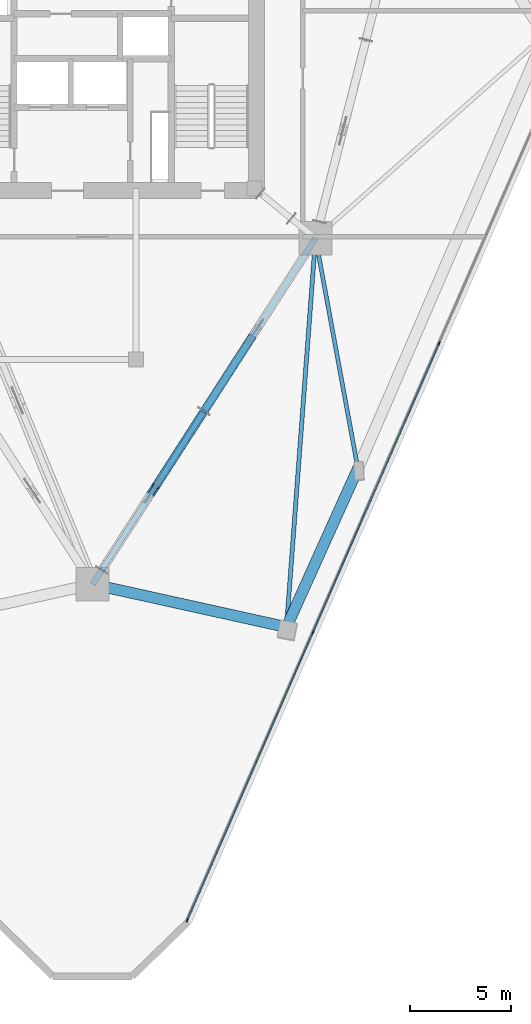
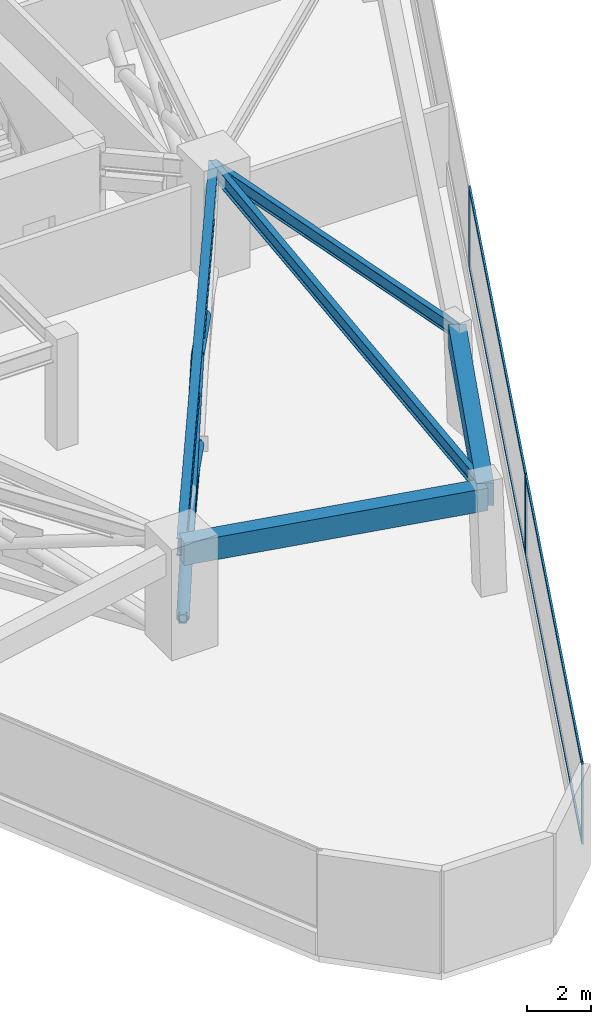
# One storey, part 3 of 15: 12 members, 5 beams, 1 element without a shape of its own.
"""IFC4 building model written with IfcOpenShell, lengths in metres."""

from ifc_helpers import new_model, si_unit, direction, frame, origin, origin_2d, place, context, subcontext, project, spatial, rectangle, hollow_rectangle, hollow_circle, i_section, extrude, material, layer, layer_set, material_profile, profile_set, type_object, element, aggregate, save


model = new_model("IFC4")

# Units and contexts
model_context = context("Model", 3, precision=1e-05, world=origin(), true_north=direction((0.0, 1.0)))
body_context = subcontext(model_context, "Body", "Model", "MODEL_VIEW")
ifc_project = project(units=[si_unit("LENGTHUNIT", "METRE"), si_unit("AREAUNIT", "SQUARE_METRE"), si_unit("VOLUMEUNIT", "CUBIC_METRE"), si_unit("PLANEANGLEUNIT", "RADIAN"), si_unit("MASSUNIT", "GRAM", prefix="KILO")], contexts=[model_context])

# Site, building, storey
site_placement = place(None, origin())
site = spatial("IfcSite", under=ifc_project, at=site_placement, CompositionType="ELEMENT")
building_placement = place(site_placement, origin())
building = spatial("IfcBuilding", under=site, at=building_placement, Name="Talyreon Biosciences Tower", CompositionType="ELEMENT")
storey_placement = place(building_placement, frame((0.0, 0.0, 118.800048828125)))
storey = spatial("IfcBuildingStorey", under=building, at=storey_placement, Name="L31", CompositionType="ELEMENT", Elevation=118.800048828125)

# Members
ifc_material_1 = material(Name="Steel SM355", Category="steel")
ifc_material_profile_1 = material_profile(ifc_material_1, hollow_circle(Radius=0.203125, WallThickness=0.01611328125, at=origin_2d()), Name="CHS 406.4x16")
ifc_profile_set_1 = profile_set([ifc_material_profile_1], Name="Steel SM355")
member_type_1 = type_object("IfcMemberType", Name="BeltBrace_CHS406", PredefinedType="BRACE", material=ifc_profile_set_1)
member_1_placement = place(storey_placement, frame((66.4521484375, 42.368896484375, 0.239990234375), z_axis=(0.509889096277, 0.791693720772, 0.33650284098), x_axis=(-0.84072260257, 0.541466070523, 0.0)))
element("IfcMember", 1, at=member_1_placement, inside=storey, type_object=member_type_1, Name="L31 Continuous Diagonal BELT-L31-B1S1A", PredefinedType="BRACE", context=body_context, shape_type="SweptSolid", body=[
    extrude(hollow_circle(Radius=0.203125, WallThickness=0.01611328125, at=origin_2d()), origin(), (0.0, 0.0, 1.0), 9.984619140625),
])
member_2_placement = place(storey_placement, frame((71.543212890625, 50.273681640625, 0.239990234375), z_axis=(-0.509900995937, -0.791688388429, 0.336497355071), x_axis=(0.840715189857, -0.541477579908, 0.0)))
element("IfcMember", 2, at=member_2_placement, inside=storey, type_object=member_type_1, Name="L31 Split Diagonal BELT-L31-B1S1B-Lower", PredefinedType="BRACE", context=body_context, shape_type="SweptSolid", body=[
    extrude(hollow_circle(Radius=0.203125, WallThickness=0.01611328125, at=origin_2d()), origin(), (0.0, 0.0, 1.0), 4.71240234375),
])
member_3_placement = place(storey_placement, frame((73.94580078125, 54.00439453125, 2.01416015625), z_axis=(-0.509862655947, -0.791709302461, 0.336506244322), x_axis=(0.840740235019, -0.541438692024, 0.0)))
element("IfcMember", 3, at=member_3_placement, inside=storey, type_object=member_type_1, Name="L31 Split Diagonal BELT-L31-B1S2B-Upper", PredefinedType="BRACE", context=body_context, shape_type="SweptSolid", body=[
    extrude(hollow_circle(Radius=0.203125, WallThickness=0.01611328125, at=origin_2d()), origin(), (0.0, 0.0, 1.0), 4.712158203125),
])
ifc_material_profile_2 = material_profile(ifc_material_1, hollow_rectangle(XDim=0.25, YDim=0.39990234375, WallThickness=0.01611328125, at=origin_2d()), Name="RHS 400x250x16")
ifc_profile_set_2 = profile_set([ifc_material_profile_2], Name="Steel SM355")
member_type_2 = type_object("IfcMemberType", Name="BeltChord_RHS400x250", PredefinedType="CHORD", material=ifc_profile_set_2)
for number, where, z_axis, x_axis, name in (
    (4, (66.4521484375, 42.368896484375, 0.239990234375), (0.541466070523, 0.84072260257, 0.0), (-0.84072260257, 0.541466070523, 0.0), "L31 Truss Bottom Chord BELT-L31-B1S1"),
    (5, (66.4521484375, 42.368896484375, 3.599853515625), (0.541466070523, 0.84072260257, 0.0), (-0.84072260257, 0.541466070523, 0.0), "L31 Truss Top Chord BELT-L31-B1S1"),
):
    element("IfcMember", number, at=place(storey_placement, frame(where, z_axis=z_axis, x_axis=x_axis)), inside=storey, type_object=member_type_2, Name=name, PredefinedType="CHORD", context=body_context, shape_type="SweptSolid", body=[
        extrude(hollow_rectangle(XDim=0.25, YDim=0.39990234375, WallThickness=0.01611328125, at=origin_2d()), origin(), (0.0, 0.0, 1.0), 9.40234375),
    ])

# Curtain wall, members
ifc_material_2 = material(Name="Thermally broken aluminium and low-E glazing", Category="aluminium")
ifc_layer = layer(ifc_material_2, 0.18994140625)
ifc_layer_set = layer_set([ifc_layer], Name="Thermally broken aluminium and low-E glazing")
curtain_wall_type = type_object("IfcCurtainWallType", Name="CurtainWall_Zone2Genomics", PredefinedType="NOTDEFINED", material=ifc_layer_set)
curtain_wall_placement = place(storey_placement, origin())
curtain_wall = element("IfcCurtainWall", 6, at=curtain_wall_placement, inside=storey, type_object=curtain_wall_type, Name="L31 Unitised Curtain Wall FCW-L31-08", PredefinedType="NOTDEFINED")
ifc_material_3 = material(Name="Anodised thermally broken aluminium", Category="aluminium")
ifc_material_profile_3 = material_profile(ifc_material_3, rectangle(XDim=0.06494140625, YDim=0.179931640625, at=origin_2d()), Name="ALUM MULLION 65x180")
ifc_profile_set_3 = profile_set([ifc_material_profile_3], Name="Anodised thermally broken aluminium")
member_type_3 = type_object("IfcMemberType", Name="CWMullion_65x180", PredefinedType="MULLION", material=ifc_profile_set_3)
member_4_placement = place(storey_placement, frame((83.236328125, 53.6474609375, 0.81005859375), z_axis=(0.0, 0.0, 1.0), x_axis=(0.916416470178, -0.400226002637, 0.0)))
member_4 = element("IfcMember", 7, at=member_4_placement, type_object=member_type_3, Name="CW3 mullion 3", PredefinedType="MULLION", context=body_context, shape_type="SweptSolid", body=[
    extrude(rectangle(XDim=0.06494140625, YDim=0.179931640625, at=origin_2d()), origin(), (0.0, 0.0, 1.0), 3.039794921875),
])
member_5_placement = place(storey_placement, frame((76.964111328125, 39.2861328125, 0.81005859375), z_axis=(0.0, 0.0, 1.0), x_axis=(0.916416470178, -0.400226002637, 0.0)))
member_5 = element("IfcMember", 8, at=member_5_placement, type_object=member_type_3, Name="CW3 mullion 4", PredefinedType="MULLION", context=body_context, shape_type="SweptSolid", body=[
    extrude(rectangle(XDim=0.06494140625, YDim=0.179931640625, at=origin_2d()), origin(), (0.0, 0.0, 1.0), 3.039794921875),
])
member_6_placement = place(storey_placement, frame((70.705078125, 24.954345703125, 0.81005859375), z_axis=(0.0, 0.0, 1.0), x_axis=(0.916416470178, -0.400226002637, 0.0)))
member_6 = element("IfcMember", 9, at=member_6_placement, type_object=member_type_3, Name="CW3 mullion 5", PredefinedType="MULLION", context=body_context, shape_type="SweptSolid", body=[
    extrude(rectangle(XDim=0.06494140625, YDim=0.179931640625, at=origin_2d()), origin(), (0.0, 0.0, 1.0), 3.039794921875),
])
ifc_material_profile_4 = material_profile(ifc_material_3, rectangle(XDim=0.06494140625, YDim=0.139892578125, at=origin_2d()), Name="ALUM TRANSOM 65x140")
ifc_profile_set_4 = profile_set([ifc_material_profile_4], Name="Anodised thermally broken aluminium")
member_type_4 = type_object("IfcMemberType", Name="CWTransom_65x140", PredefinedType="USERDEFINED", material=ifc_profile_set_4)
member_7_placement = place(storey_placement, frame((83.223388671875, 53.61767578125, 0.842529296875), z_axis=(-0.40023115993, -0.916414217819, 0.0), x_axis=(0.916414217819, -0.40023115993, 0.0)))
member_7 = element("IfcMember", 10, at=member_7_placement, type_object=member_type_4, Name="CW3 transom 3.1", ObjectType="TRANSOM", PredefinedType="USERDEFINED", context=body_context, shape_type="SweptSolid", body=[
    extrude(rectangle(XDim=0.06494140625, YDim=0.139892578125, at=origin_2d()), origin(), (0.0, 0.0, 1.0), 15.606201171875),
])
member_8_placement = place(storey_placement, frame((83.223388671875, 53.61767578125, 3.8173828125), z_axis=(-0.40023115993, -0.916414217819, 0.0), x_axis=(0.916414217819, -0.40023115993, 0.0)))
member_8 = element("IfcMember", 11, at=member_8_placement, type_object=member_type_4, Name="CW3 transom 3.2", ObjectType="TRANSOM", PredefinedType="USERDEFINED", context=body_context, shape_type="SweptSolid", body=[
    extrude(rectangle(XDim=0.06494140625, YDim=0.139892578125, at=origin_2d()), origin(), (0.0, 0.0, 1.0), 15.606201171875),
])
member_9_placement = place(storey_placement, frame((76.951171875, 39.25634765625, 0.842529296875), z_axis=(-0.400229120213, -0.916415108634, 0.0), x_axis=(0.916415108634, -0.400229120213, 0.0)))
member_9 = element("IfcMember", 12, at=member_9_placement, type_object=member_type_4, Name="CW3 transom 4.1", ObjectType="TRANSOM", PredefinedType="USERDEFINED", context=body_context, shape_type="SweptSolid", body=[
    extrude(rectangle(XDim=0.06494140625, YDim=0.139892578125, at=origin_2d()), origin(), (0.0, 0.0, 1.0), 15.573974609375),
])
member_10_placement = place(storey_placement, frame((76.951171875, 39.25634765625, 3.8173828125), z_axis=(-0.400229120213, -0.916415108634, 0.0), x_axis=(0.916415108634, -0.400229120213, 0.0)))
member_10 = element("IfcMember", 13, at=member_10_placement, type_object=member_type_4, Name="CW3 transom 4.2", ObjectType="TRANSOM", PredefinedType="USERDEFINED", context=body_context, shape_type="SweptSolid", body=[
    extrude(rectangle(XDim=0.06494140625, YDim=0.139892578125, at=origin_2d()), origin(), (0.0, 0.0, 1.0), 15.573974609375),
])
aggregate(curtain_wall, [member_4, member_5, member_6, member_7, member_8, member_9, member_10])

# Beams
ifc_material_4 = material(Name="Precast concrete C45/55", Category="concrete")
ifc_material_profile_5 = material_profile(ifc_material_4, rectangle(XDim=0.550048828125, YDim=0.85009765625, at=origin_2d()), Name="RCB 550x850")
ifc_profile_set_5 = profile_set([ifc_material_profile_5], Name="Precast concrete C45/55")
beam_type_1 = type_object("IfcBeamType", Name="ExpressedSpandrel_550x850", PredefinedType="SPANDREL", material=ifc_profile_set_5)
beam_1_placement = place(storey_placement, frame((66.0, 41.6669921875, 3.425048828125), z_axis=(0.976467220252, -0.215665870674, 0.0), x_axis=(0.215665870674, 0.976467220252, 0.0)))
element("IfcBeam", 14, at=beam_1_placement, inside=storey, type_object=beam_type_1, Name="L31 Expressed Horizontal Concrete Spandrel 01", PredefinedType="SPANDREL", context=body_context, shape_type="SweptSolid", body=[
    extrude(rectangle(XDim=0.550048828125, YDim=0.85009765625, at=origin_2d()), origin(), (0.0, 0.0, 1.0), 9.874755859375),
])
beam_2_placement = place(storey_placement, frame((75.642333984375, 39.537353515625, 3.425048828125), z_axis=(0.410686315558, 0.911776699754, 0.0), x_axis=(-0.911776699754, 0.410686315558, 0.0)))
element("IfcBeam", 15, at=beam_2_placement, inside=storey, type_object=beam_type_1, Name="L31 Expressed Horizontal Concrete Spandrel 02", PredefinedType="SPANDREL", context=body_context, shape_type="SweptSolid", body=[
    extrude(rectangle(XDim=0.550048828125, YDim=0.85009765625, at=origin_2d()), origin(), (0.0, 0.0, 1.0), 8.647216796875),
])
ifc_material_profile_6 = material_profile(ifc_material_1, i_section(OverallWidth=0.300048828125, OverallDepth=0.64990234375, WebThickness=0.01611328125, FlangeThickness=0.031005859375, FilletRadius=0.027099609375, at=origin_2d()), Name="HE650B")
ifc_profile_set_6 = profile_set([ifc_material_profile_6], Name="Steel SM355")
beam_type_2 = type_object("IfcBeamType", Name="SteelBeam_HE650B", PredefinedType="BEAM", material=ifc_profile_set_6)
beam_3_placement = place(storey_placement, frame((66.0, 41.6669921875, 3.52490234375), z_axis=(0.541463723609, 0.840724114092, 0.0), x_axis=(-0.840724114092, 0.541463723609, 0.0)))
element("IfcBeam", 16, at=beam_3_placement, inside=storey, type_object=beam_type_2, Name="L31 Mega-Ring Girder 1", PredefinedType="BEAM", context=body_context, shape_type="SweptSolid", body=[
    extrude(i_section(OverallWidth=0.300048828125, OverallDepth=0.64990234375, WebThickness=0.01611328125, FlangeThickness=0.031005859375, FilletRadius=0.027099609375, at=origin_2d()), origin(), (0.0, 0.0, 1.0), 20.474365234375),
])
ifc_material_profile_7 = material_profile(ifc_material_1, i_section(OverallWidth=0.199951171875, OverallDepth=0.5, WebThickness=0.01025390625, FlangeThickness=0.01611328125, FilletRadius=0.02099609375, at=origin_2d()), Name="IPE500")
ifc_profile_set_7 = profile_set([ifc_material_profile_7], Name="Steel SM355")
beam_type_3 = type_object("IfcBeamType", Name="SteelJoist_IPE500", PredefinedType="JOIST", material=ifc_profile_set_7)
beam_4_placement = place(storey_placement, frame((77.086181640625, 58.88037109375, 3.599853515625), z_axis=(0.180880285529, -0.983505120631, 0.0), x_axis=(0.983505120631, 0.180880285529, 0.0)))
element("IfcBeam", 17, at=beam_4_placement, inside=storey, type_object=beam_type_3, Name="L31 Radial Composite Floor Joist PL-SE", PredefinedType="JOIST", context=body_context, shape_type="SweptSolid", body=[
    extrude(i_section(OverallWidth=0.199951171875, OverallDepth=0.5, WebThickness=0.01025390625, FlangeThickness=0.01611328125, FilletRadius=0.02099609375, at=origin_2d()), origin(), (0.0, 0.0, 1.0), 11.65087890625),
])
ifc_material_profile_8 = material_profile(ifc_material_1, i_section(OverallWidth=0.2099609375, OverallDepth=0.550048828125, WebThickness=0.010986328125, FlangeThickness=0.01708984375, FilletRadius=0.02392578125, at=origin_2d()), Name="IPE550")
ifc_profile_set_8 = profile_set([ifc_material_profile_8], Name="Steel SM355")
beam_type_4 = type_object("IfcBeamType", Name="SteelJoist_IPE550", PredefinedType="JOIST", material=ifc_profile_set_8)
beam_5_placement = place(storey_placement, frame((77.086181640625, 58.88037109375, 3.574951171875), z_axis=(-0.074437299037, -0.997225695874, 0.0), x_axis=(0.997225695874, -0.074437299037, 0.0)))
element("IfcBeam", 18, at=beam_5_placement, inside=storey, type_object=beam_type_4, Name="L31 Radial Composite Floor Joist PC-SE1", PredefinedType="JOIST", context=body_context, shape_type="SweptSolid", body=[
    extrude(i_section(OverallWidth=0.2099609375, OverallDepth=0.550048828125, WebThickness=0.010986328125, FlangeThickness=0.01708984375, FilletRadius=0.02392578125, at=origin_2d()), origin(), (0.0, 0.0, 1.0), 19.396728515625),
])

save(model, "model.ifc")
